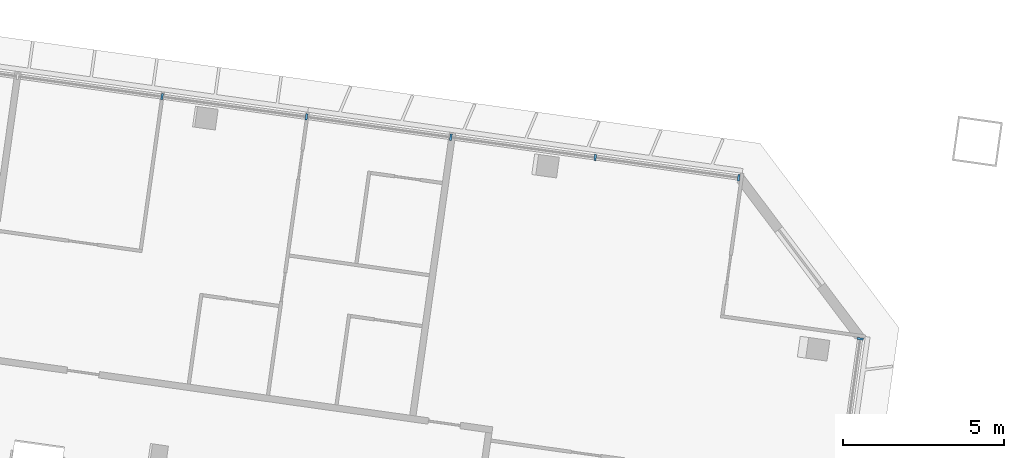
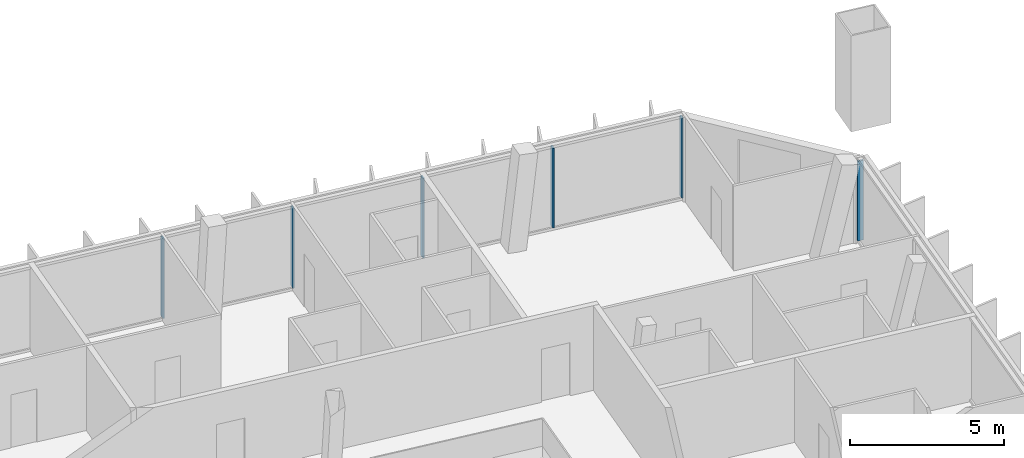
# One storey, part 8 of 26: 6 members, 2 elements without a shape of their own.
"""IFC4 building model written with IfcOpenShell, lengths in metres."""

from ifc_helpers import new_model, si_unit, direction, frame, origin, origin_2d, place, context, subcontext, project, spatial, rectangle, extrude, material, material_profile, profile_set, type_object, element, aggregate, save


model = new_model("IFC4")

# Units and contexts
model_context = context("Model", 3, precision=1e-05, world=origin(), true_north=direction((0.0, 1.0)))
body_context = subcontext(model_context, "Body", "Model", "MODEL_VIEW")
ifc_project = project(units=[si_unit("LENGTHUNIT", "METRE"), si_unit("AREAUNIT", "SQUARE_METRE"), si_unit("VOLUMEUNIT", "CUBIC_METRE"), si_unit("PLANEANGLEUNIT", "RADIAN"), si_unit("MASSUNIT", "GRAM", prefix="KILO")], contexts=[model_context])

# Site, building, storey
site_placement = place(None, origin())
site = spatial("IfcSite", under=ifc_project, at=site_placement, CompositionType="ELEMENT")
building_placement = place(site_placement, origin())
building = spatial("IfcBuilding", under=site, at=building_placement, Name="Mirante Cascada Hotel Towers", CompositionType="ELEMENT")
storey_placement = place(building_placement, frame((0.0, 0.0, 216.6)))
storey = spatial("IfcBuildingStorey", under=building, at=storey_placement, Name="L51", CompositionType="ELEMENT", Elevation=216.6)

# Curtain wall, members
ifc_material_1 = material(Name="Aluminium mullion and transom frame with clear laminated glass", Category="aluminium")
curtain_wall_type_1 = type_object("IfcCurtainWallType", Name="Ribbon curtain wall ECW1", PredefinedType="NOTDEFINED", material=ifc_material_1)
curtain_wall_1_placement = place(storey_placement, origin())
curtain_wall_1 = element("IfcCurtainWall", 1, at=curtain_wall_1_placement, inside=storey, type_object=curtain_wall_type_1, Name="Front ribbon wall T1 L51", PredefinedType="NOTDEFINED")
ifc_material_2 = material(Name="Anodised aluminium extrusion", Category="aluminium")
ifc_material_profile_1 = material_profile(ifc_material_2, rectangle(XDim=0.2, YDim=0.065, at=origin_2d()), Name="ECW1 MULLION 65x200")
ifc_profile_set_1 = profile_set([ifc_material_profile_1], Name="Anodised aluminium extrusion")
member_type_1 = type_object("IfcMemberType", Name="ECW1 mullion 65x200", PredefinedType="MULLION", material=ifc_profile_set_1)
member_1_placement = place(storey_placement, frame((-44.9356, 19.1343, 0.1), z_axis=(0.0, 0.0, 1.0), x_axis=(0.1391731, 0.9902681, 0.0)))
member_1 = element("IfcMember", 2, at=member_1_placement, type_object=member_type_1, Name="ECW1 mullion 6", PredefinedType="MULLION", context=body_context, shape_type="SweptSolid", body=[
    extrude(rectangle(XDim=0.2, YDim=0.065, at=origin_2d()), origin(), (0.0, 0.0, 1.0), 3.15),
])
member_2_placement = place(storey_placement, frame((-40.4385, 18.5023, 0.1), z_axis=(0.0, 0.0, 1.0), x_axis=(0.1391731, 0.9902681, 0.0)))
member_2 = element("IfcMember", 3, at=member_2_placement, type_object=member_type_1, Name="ECW1 mullion 7", PredefinedType="MULLION", context=body_context, shape_type="SweptSolid", body=[
    extrude(rectangle(XDim=0.2, YDim=0.065, at=origin_2d()), origin(), (0.0, 0.0, 1.0), 3.15),
])
member_3_placement = place(storey_placement, frame((-35.9415, 17.8703, 0.1), z_axis=(0.0, 0.0, 1.0), x_axis=(0.1391731, 0.9902681, 0.0)))
member_3 = element("IfcMember", 4, at=member_3_placement, type_object=member_type_1, Name="ECW1 mullion 8", PredefinedType="MULLION", context=body_context, shape_type="SweptSolid", body=[
    extrude(rectangle(XDim=0.2, YDim=0.065, at=origin_2d()), origin(), (0.0, 0.0, 1.0), 3.15),
])
member_4_placement = place(storey_placement, frame((-31.4444, 17.2382, 0.1), z_axis=(0.0, 0.0, 1.0), x_axis=(0.1391731, 0.9902681, 0.0)))
member_4 = element("IfcMember", 5, at=member_4_placement, type_object=member_type_1, Name="ECW1 mullion 9", PredefinedType="MULLION", context=body_context, shape_type="SweptSolid", body=[
    extrude(rectangle(XDim=0.2, YDim=0.065, at=origin_2d()), origin(), (0.0, 0.0, 1.0), 3.15),
])
member_5_placement = place(storey_placement, frame((-26.9795, 16.6108, 0.1), z_axis=(0.0, 0.0, 1.0), x_axis=(0.1391731, 0.9902681, 0.0)))
member_5 = element("IfcMember", 6, at=member_5_placement, type_object=member_type_1, Name="ECW1 mullion 10", PredefinedType="MULLION", context=body_context, shape_type="SweptSolid", body=[
    extrude(rectangle(XDim=0.2, YDim=0.065, at=origin_2d()), origin(), (0.0, 0.0, 1.0), 3.15),
])
aggregate(curtain_wall_1, [member_1, member_2, member_3, member_4, member_5])

# Curtain wall, member
ifc_material_3 = material(Name="Aluminium mullion and transom frame with clear laminated glass", Category="aluminium")
curtain_wall_type_2 = type_object("IfcCurtainWallType", Name="End ribbon curtain wall ECW2", PredefinedType="NOTDEFINED", material=ifc_material_3)
curtain_wall_2_placement = place(storey_placement, origin())
curtain_wall_2 = element("IfcCurtainWall", 7, at=curtain_wall_2_placement, inside=storey, type_object=curtain_wall_type_2, Name="Inner end wall T1 L51", PredefinedType="NOTDEFINED")
ifc_material_4 = material(Name="Anodised aluminium extrusion", Category="aluminium")
ifc_material_profile_2 = material_profile(ifc_material_4, rectangle(XDim=0.2, YDim=0.065, at=origin_2d()), Name="ECW2 MULLION 65x200")
ifc_profile_set_2 = profile_set([ifc_material_profile_2], Name="Anodised aluminium extrusion")
member_type_2 = type_object("IfcMemberType", Name="ECW2 mullion 65x200", PredefinedType="MULLION", material=ifc_profile_set_2)
member_6_placement = place(storey_placement, frame((-23.1967, 11.5908, 0.1), z_axis=(0.0, 0.0, 1.0), x_axis=(0.9902681, -0.1391731, 0.0)))
member_6 = element("IfcMember", 8, at=member_6_placement, type_object=member_type_2, Name="ECW2 mullion 1", PredefinedType="MULLION", context=body_context, shape_type="SweptSolid", body=[
    extrude(rectangle(XDim=0.2, YDim=0.065, at=origin_2d()), origin(), (0.0, 0.0, 1.0), 3.15),
])
aggregate(curtain_wall_2, [member_6])

save(model, "model.ifc")
